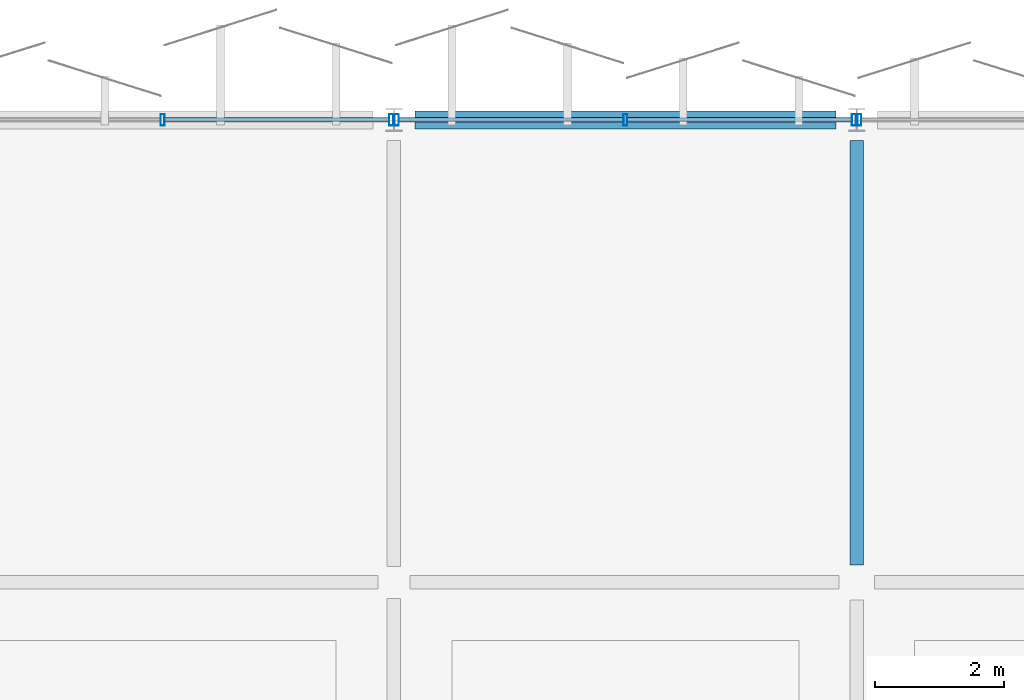
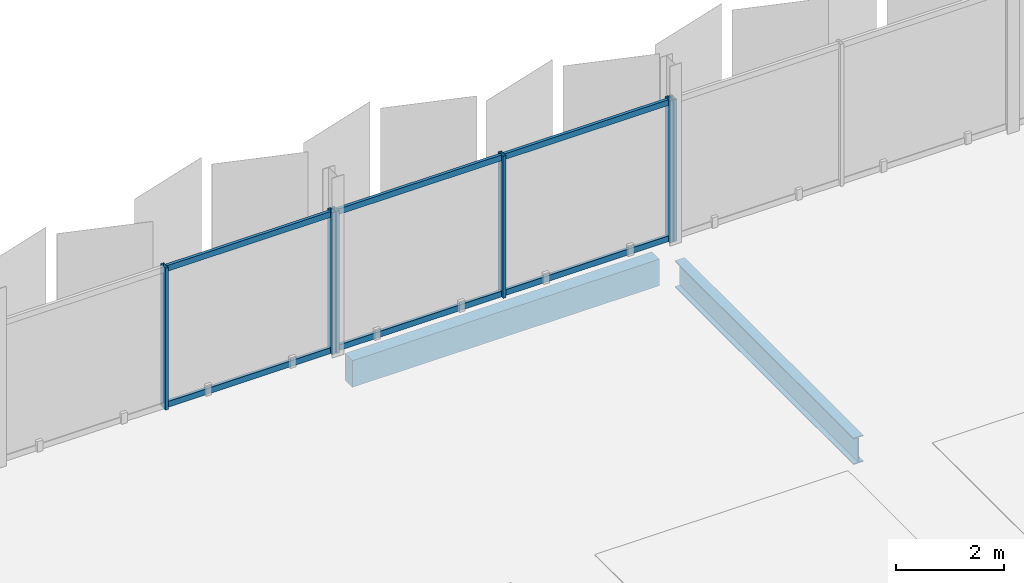
# One storey, part 34 of 91: 12 members, 2 beams, 3 elements without a shape of their own.
"""IFC4 building model written with IfcOpenShell, lengths in metres."""

from ifc_helpers import new_model, si_unit, direction, frame, origin, origin_2d, place, context, subcontext, project, spatial, rectangle, hollow_rectangle, i_section, extrude, material, layer, layer_set, material_profile, profile_set, type_object, element, aggregate, save


model = new_model("IFC4")

# Units and contexts
model_context = context("Model", 3, precision=1e-05, world=origin(), true_north=direction((0.0, 1.0)))
body_context = subcontext(model_context, "Body", "Model", "MODEL_VIEW")
ifc_project = project(units=[si_unit("LENGTHUNIT", "METRE"), si_unit("AREAUNIT", "SQUARE_METRE"), si_unit("VOLUMEUNIT", "CUBIC_METRE"), si_unit("PLANEANGLEUNIT", "RADIAN"), si_unit("MASSUNIT", "GRAM", prefix="KILO")], contexts=[model_context])

# Site, building, storey
site_placement = place(None, origin())
site = spatial("IfcSite", under=ifc_project, at=site_placement, CompositionType="ELEMENT")
building_placement = place(site_placement, origin())
building = spatial("IfcBuilding", under=site, at=building_placement, Name="Kangsadwip Square Police Headquarters", CompositionType="ELEMENT")
storey_placement = place(building_placement, frame((0.0, 0.0, 13.5)))
storey = spatial("IfcBuildingStorey", under=building, at=storey_placement, Name="L03", CompositionType="ELEMENT", Elevation=13.5)

# Curtain wall, members
ifc_material_1 = material(Name="Thermally broken anodised aluminium AW-6063-T6", Category="aluminium")
ifc_layer = layer(ifc_material_1, 0.159912109375)
ifc_layer_set = layer_set([ifc_layer], Name="Thermally broken anodised aluminium AW-6063-T6")
curtain_wall_type = type_object("IfcCurtainWallType", Name="UnitisedCw7180x3200", PredefinedType="NOTDEFINED", material=ifc_layer_set)
curtain_wall_1_placement = place(storey_placement, origin())
curtain_wall_1 = element("IfcCurtainWall", 1, at=curtain_wall_1_placement, inside=storey, type_object=curtain_wall_type, Name="Curtain Wall CW-L03-1080-1152", PredefinedType="NOTDEFINED")
ifc_material_2 = material(Name="Thermally broken anodised aluminium AW-6063-T6", Category="aluminium")
ifc_material_profile_1 = material_profile(ifc_material_2, hollow_rectangle(XDim=0.06494140625, YDim=0.179931640625, WallThickness=0.00390625, at=origin_2d()), Name="CWM 180X65X4")
ifc_profile_set_1 = profile_set([ifc_material_profile_1], Name="Thermally broken anodised aluminium AW-6063-T6")
member_type_1 = type_object("IfcMemberType", Name="CwMullion160x65", PredefinedType="MULLION", material=ifc_profile_set_1)
member_1_placement = place(storey_placement, frame((111.60009765625, 115.199951171875, 0.0), z_axis=(0.0, 0.0, 1.0), x_axis=(1.0, 0.0, 0.0)))
member_1 = element("IfcMember", 2, at=member_1_placement, type_object=member_type_1, Name="CW-38 mullion 2", PredefinedType="MULLION", context=body_context, shape_type="SweptSolid", body=[
    extrude(hollow_rectangle(XDim=0.06494140625, YDim=0.179931640625, WallThickness=0.00390625, at=origin_2d()), origin(), (0.0, 0.0, 1.0), 3.199951171875),
])
member_2_placement = place(storey_placement, frame((115.157470703125, 115.199951171875, 0.0), z_axis=(0.0, 0.0, 1.0), x_axis=(1.0, 0.0, 0.0)))
member_2 = element("IfcMember", 3, at=member_2_placement, type_object=member_type_1, Name="CW-38 mullion 3", PredefinedType="MULLION", context=body_context, shape_type="SweptSolid", body=[
    extrude(hollow_rectangle(XDim=0.06494140625, YDim=0.179931640625, WallThickness=0.00390625, at=origin_2d()), origin(), (0.0, 0.0, 1.0), 3.199951171875),
])

curtain_wall_2_placement = place(storey_placement, origin())
curtain_wall_2 = element("IfcCurtainWall", 4, at=curtain_wall_2_placement, inside=storey, type_object=curtain_wall_type, Name="Curtain Wall CW-L03-1152-1152", PredefinedType="NOTDEFINED")
member_3_placement = place(storey_placement, frame((115.242431640625, 115.199951171875, 0.0), z_axis=(0.0, 0.0, 1.0), x_axis=(1.0, 0.0, 0.0)))
member_3 = element("IfcMember", 5, at=member_3_placement, type_object=member_type_1, Name="CW-38 mullion 1", PredefinedType="MULLION", context=body_context, shape_type="SweptSolid", body=[
    extrude(hollow_rectangle(XDim=0.06494140625, YDim=0.179931640625, WallThickness=0.00390625, at=origin_2d()), origin(), (0.0, 0.0, 1.0), 3.199951171875),
])
member_4_placement = place(storey_placement, frame((118.800048828125, 115.199951171875, 0.0), z_axis=(0.0, 0.0, 1.0), x_axis=(1.0, 0.0, 0.0)))
member_4 = element("IfcMember", 6, at=member_4_placement, type_object=member_type_1, Name="CW-38 mullion 2", PredefinedType="MULLION", context=body_context, shape_type="SweptSolid", body=[
    extrude(hollow_rectangle(XDim=0.06494140625, YDim=0.179931640625, WallThickness=0.00390625, at=origin_2d()), origin(), (0.0, 0.0, 1.0), 3.199951171875),
])
member_5_placement = place(storey_placement, frame((122.357421875, 115.199951171875, 0.0), z_axis=(0.0, 0.0, 1.0), x_axis=(1.0, 0.0, 0.0)))
member_5 = element("IfcMember", 7, at=member_5_placement, type_object=member_type_1, Name="CW-38 mullion 3", PredefinedType="MULLION", context=body_context, shape_type="SweptSolid", body=[
    extrude(hollow_rectangle(XDim=0.06494140625, YDim=0.179931640625, WallThickness=0.00390625, at=origin_2d()), origin(), (0.0, 0.0, 1.0), 3.199951171875),
])

# Curtain wall, member
curtain_wall_3_placement = place(storey_placement, origin())
curtain_wall_3 = element("IfcCurtainWall", 8, at=curtain_wall_3_placement, inside=storey, type_object=curtain_wall_type, Name="Curtain Wall CW-L03-1224-1152", PredefinedType="NOTDEFINED")
member_6_placement = place(storey_placement, frame((122.4423828125, 115.199951171875, 0.0), z_axis=(0.0, 0.0, 1.0), x_axis=(1.0, 0.0, 0.0)))
member_6 = element("IfcMember", 9, at=member_6_placement, type_object=member_type_1, Name="CW-38 mullion 1", PredefinedType="MULLION", context=body_context, shape_type="SweptSolid", body=[
    extrude(hollow_rectangle(XDim=0.06494140625, YDim=0.179931640625, WallThickness=0.00390625, at=origin_2d()), origin(), (0.0, 0.0, 1.0), 3.199951171875),
])
aggregate(curtain_wall_3, [member_6])

# Member
ifc_material_3 = material(Name="Thermally broken anodised aluminium AW-6063-T6", Category="aluminium")
ifc_material_profile_2 = material_profile(ifc_material_3, hollow_rectangle(XDim=0.06494140625, YDim=0.1298828125, WallThickness=0.00390625, at=origin_2d()), Name="CWT 130X65X4")
ifc_profile_set_2 = profile_set([ifc_material_profile_2], Name="Thermally broken anodised aluminium AW-6063-T6")
member_type_2 = type_object("IfcMemberType", Name="CwTransom140x60", PredefinedType="USERDEFINED", material=ifc_profile_set_2)
member_7_placement = place(storey_placement, frame((111.632568359375, 115.199951171875, 0.06494140625), z_axis=(1.0, 0.0, 0.0), x_axis=(0.0, 1.0, 0.0)))
member_7 = element("IfcMember", 10, at=member_7_placement, type_object=member_type_2, Name="CW-38 transom 2.1", ObjectType="TRANSOM", PredefinedType="USERDEFINED", context=body_context, shape_type="SweptSolid", body=[
    extrude(hollow_rectangle(XDim=0.06494140625, YDim=0.1298828125, WallThickness=0.00390625, at=origin_2d()), origin(), (0.0, 0.0, 1.0), 3.492431640625),
])

member_8_placement = place(storey_placement, frame((111.632568359375, 115.199951171875, 3.135009765625), z_axis=(1.0, 0.0, 0.0), x_axis=(0.0, 1.0, 0.0)))
member_8 = element("IfcMember", 11, at=member_8_placement, type_object=member_type_2, Name="CW-38 transom 2.2", ObjectType="TRANSOM", PredefinedType="USERDEFINED", context=body_context, shape_type="SweptSolid", body=[
    extrude(hollow_rectangle(XDim=0.06494140625, YDim=0.1298828125, WallThickness=0.00390625, at=origin_2d()), origin(), (0.0, 0.0, 1.0), 3.492431640625),
])

aggregate(curtain_wall_1, [member_1, member_2, member_7, member_8])

member_9_placement = place(storey_placement, frame((115.27490234375, 115.199951171875, 0.06494140625), z_axis=(1.0, 0.0, 0.0), x_axis=(0.0, 1.0, 0.0)))
member_9 = element("IfcMember", 12, at=member_9_placement, type_object=member_type_2, Name="CW-38 transom 1.1", ObjectType="TRANSOM", PredefinedType="USERDEFINED", context=body_context, shape_type="SweptSolid", body=[
    extrude(hollow_rectangle(XDim=0.06494140625, YDim=0.1298828125, WallThickness=0.00390625, at=origin_2d()), origin(), (0.0, 0.0, 1.0), 3.49267578125),
])

member_10_placement = place(storey_placement, frame((115.27490234375, 115.199951171875, 3.135009765625), z_axis=(1.0, 0.0, 0.0), x_axis=(0.0, 1.0, 0.0)))
member_10 = element("IfcMember", 13, at=member_10_placement, type_object=member_type_2, Name="CW-38 transom 1.2", ObjectType="TRANSOM", PredefinedType="USERDEFINED", context=body_context, shape_type="SweptSolid", body=[
    extrude(hollow_rectangle(XDim=0.06494140625, YDim=0.1298828125, WallThickness=0.00390625, at=origin_2d()), origin(), (0.0, 0.0, 1.0), 3.49267578125),
])

member_11_placement = place(storey_placement, frame((118.83251953125, 115.199951171875, 0.06494140625), z_axis=(1.0, 0.0, 0.0), x_axis=(0.0, 1.0, 0.0)))
member_11 = element("IfcMember", 14, at=member_11_placement, type_object=member_type_2, Name="CW-38 transom 2.1", ObjectType="TRANSOM", PredefinedType="USERDEFINED", context=body_context, shape_type="SweptSolid", body=[
    extrude(hollow_rectangle(XDim=0.06494140625, YDim=0.1298828125, WallThickness=0.00390625, at=origin_2d()), origin(), (0.0, 0.0, 1.0), 3.492431640625),
])

member_12_placement = place(storey_placement, frame((118.83251953125, 115.199951171875, 3.135009765625), z_axis=(1.0, 0.0, 0.0), x_axis=(0.0, 1.0, 0.0)))
member_12 = element("IfcMember", 15, at=member_12_placement, type_object=member_type_2, Name="CW-38 transom 2.2", ObjectType="TRANSOM", PredefinedType="USERDEFINED", context=body_context, shape_type="SweptSolid", body=[
    extrude(hollow_rectangle(XDim=0.06494140625, YDim=0.1298828125, WallThickness=0.00390625, at=origin_2d()), origin(), (0.0, 0.0, 1.0), 3.492431640625),
])

aggregate(curtain_wall_2, [member_3, member_4, member_5, member_9, member_10, member_11, member_12])

# Beams
ifc_material_4 = material(Name="Concrete M40 (40 MPa)", Category="concrete")
ifc_material_profile_3 = material_profile(ifc_material_4, rectangle(XDim=0.280029296875, YDim=0.60009765625, at=origin_2d()), Name="RC SPN 600X280")
ifc_profile_set_3 = profile_set([ifc_material_profile_3], Name="Concrete M40 (40 MPa)")
beam_type_1 = type_object("IfcBeamType", Name="RcSpandrel600x280", PredefinedType="SPANDREL", material=ifc_profile_set_3)
beam_1_placement = place(storey_placement, frame((115.52490234375, 115.199951171875, -0.5400390625), z_axis=(1.0, 0.0, 0.0), x_axis=(0.0, 1.0, 0.0)))
element("IfcBeam", 16, at=beam_1_placement, inside=storey, type_object=beam_type_1, Name="Beam BM-L03-X-16-16", PredefinedType="SPANDREL", context=body_context, shape_type="SweptSolid", body=[
    extrude(rectangle(XDim=0.280029296875, YDim=0.60009765625, at=origin_2d()), origin(), (0.0, 0.0, 1.0), 6.550048828125),
])
ifc_material_5 = material(Name="Structural steel IS 2062 E350 (Grade 350, 350 MPa)", Category="steel")
ifc_material_profile_4 = material_profile(ifc_material_5, i_section(OverallWidth=0.2099609375, OverallDepth=0.60009765625, WebThickness=0.011962890625, FlangeThickness=0.020751953125, at=origin_2d()), Name="ISMB 600")
ifc_profile_set_4 = profile_set([ifc_material_profile_4], Name="Structural steel IS 2062 E350 (Grade 350, 350 MPa)")
beam_type_2 = type_object("IfcBeamType", Name="SteelBeamIsmb600", PredefinedType="BEAM", material=ifc_profile_set_4)
beam_2_placement = place(storey_placement, frame((122.39990234375, 108.27490234375, -0.5400390625), z_axis=(0.0, 1.0, 0.0), x_axis=(-1.0, 0.0, 0.0)))
element("IfcBeam", 17, at=beam_2_placement, inside=storey, type_object=beam_type_2, Name="Beam BM-L03-Y-17-15", PredefinedType="BEAM", context=body_context, shape_type="SweptSolid", body=[
    extrude(i_section(OverallWidth=0.2099609375, OverallDepth=0.60009765625, WebThickness=0.011962890625, FlangeThickness=0.020751953125, at=origin_2d()), origin(), (0.0, 0.0, 1.0), 6.60009765625),
])

save(model, "model.ifc")
